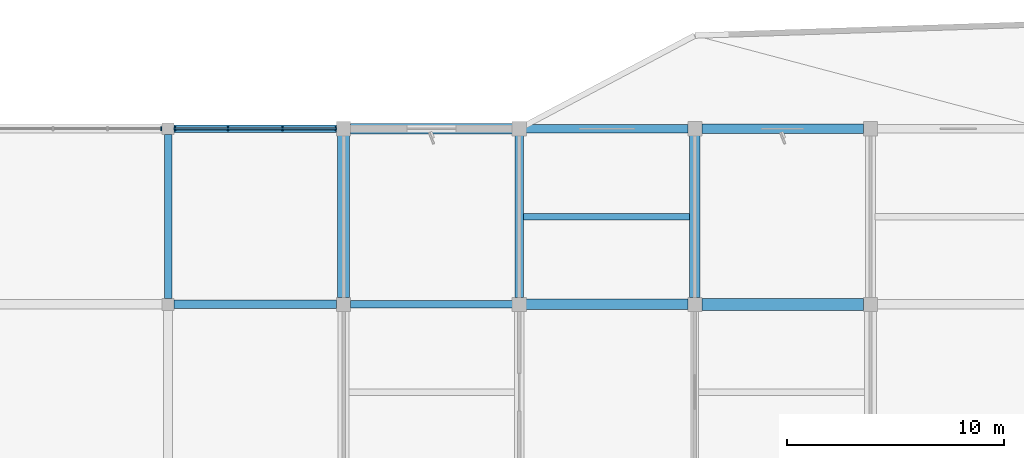
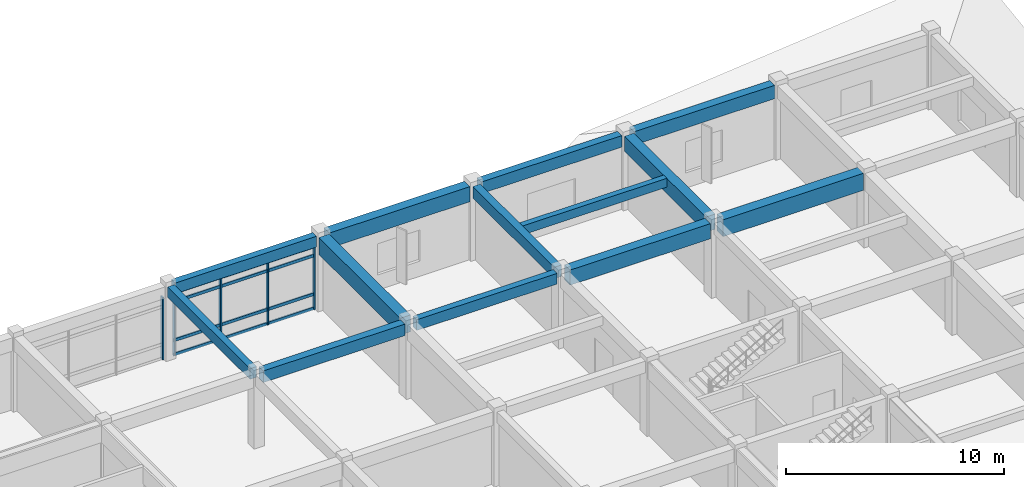
# One storey, part 20 of 40: 13 beams, 9 members, 2 elements without a shape of their own.
"""IFC4 building model written with IfcOpenShell, lengths in metres."""

from ifc_helpers import new_model, si_unit, direction, frame, origin, origin_2d, place, context, subcontext, project, spatial, rectangle, extrude, material, layer, layer_set, material_profile, profile_set, type_object, element, aggregate, save


model = new_model("IFC4")

# Units and contexts
model_context = context("Model", 3, precision=1e-05, world=origin(), true_north=direction((0.0, 1.0)))
body_context = subcontext(model_context, "Body", "Model", "MODEL_VIEW")
ifc_project = project(units=[si_unit("LENGTHUNIT", "METRE"), si_unit("AREAUNIT", "SQUARE_METRE"), si_unit("VOLUMEUNIT", "CUBIC_METRE"), si_unit("PLANEANGLEUNIT", "RADIAN"), si_unit("MASSUNIT", "GRAM", prefix="KILO")], contexts=[model_context])

# Site, building, storey
site_placement = place(None, origin())
site = spatial("IfcSite", under=ifc_project, at=site_placement, CompositionType="ELEMENT")
building_placement = place(site_placement, origin())
building = spatial("IfcBuilding", under=site, at=building_placement, Name="Vaudrelin Polytechnic", CompositionType="ELEMENT")
storey_placement = place(building_placement, frame((0.0, 0.0, 22.949951171875)))
storey = spatial("IfcBuildingStorey", under=building, at=storey_placement, Name="L05", CompositionType="ELEMENT", Elevation=22.949951171875)

# Beams
ifc_material_1 = material(Name="Concrete 40 MPa", Category="concrete")
ifc_material_profile_1 = material_profile(ifc_material_1, rectangle(XDim=0.35009765625, YDim=0.60009765625, at=origin_2d()), Name="RC350x600")
ifc_profile_set_1 = profile_set([ifc_material_profile_1], Name="Concrete 40 MPa")
beam_type_1 = type_object("IfcBeamType", Name="BM-BM-RC3560", PredefinedType="BEAM", material=ifc_profile_set_1)
beam_1_placement = place(storey_placement, frame((129.60009765625, 113.659912109375, 3.860107421875), z_axis=(0.0, 1.0, 0.0), x_axis=(-1.0, 0.0, 0.0)))
element("IfcBeam", 1, at=beam_1_placement, inside=storey, type_object=beam_type_1, Name="L05 Y-beam 17-15", PredefinedType="BEAM", context=body_context, shape_type="SweptSolid", body=[
    extrude(rectangle(XDim=0.35009765625, YDim=0.60009765625, at=origin_2d()), origin(), (0.0, 0.0, 1.0), 7.580078125),
])
beam_2_placement = place(storey_placement, frame((129.87109375, 121.5, 3.860107421875), z_axis=(1.0, 0.0, 0.0), x_axis=(0.0, 1.0, 0.0)))
element("IfcBeam", 2, at=beam_2_placement, inside=storey, type_object=beam_type_1, Name="L05 X-beam 17-16", PredefinedType="BEAM", context=body_context, shape_type="SweptSolid", body=[
    extrude(rectangle(XDim=0.35009765625, YDim=0.60009765625, at=origin_2d()), origin(), (0.0, 0.0, 1.0), 7.5078125),
])
beam_3_placement = place(storey_placement, frame((138.02099609375, 113.39990234375, 3.860107421875), z_axis=(1.0, 0.0, 0.0), x_axis=(0.0, 1.0, 0.0)))
element("IfcBeam", 3, at=beam_3_placement, inside=storey, type_object=beam_type_1, Name="L05 X-beam 18-15", PredefinedType="BEAM", context=body_context, shape_type="SweptSolid", body=[
    extrude(rectangle(XDim=0.35009765625, YDim=0.60009765625, at=origin_2d()), origin(), (0.0, 0.0, 1.0), 7.4580078125),
])
ifc_material_profile_2 = material_profile(ifc_material_1, rectangle(XDim=0.39990234375, YDim=0.64990234375, at=origin_2d()), Name="RC400x650")
ifc_profile_set_2 = profile_set([ifc_material_profile_2], Name="Concrete 40 MPa")
beam_type_2 = type_object("IfcBeamType", Name="BM-BM-RC4065", PredefinedType="BEAM", material=ifc_profile_set_2)
beam_4_placement = place(storey_placement, frame((145.800048828125, 113.7099609375, 3.8349609375), z_axis=(0.0, 1.0, 0.0), x_axis=(-1.0, 0.0, 0.0)))
element("IfcBeam", 4, at=beam_4_placement, inside=storey, type_object=beam_type_2, Name="L05 Y-beam 19-15", PredefinedType="BEAM", context=body_context, shape_type="SweptSolid", body=[
    extrude(rectangle(XDim=0.39990234375, YDim=0.64990234375, at=origin_2d()), origin(), (0.0, 0.0, 1.0), 7.47998046875),
])
beam_5_placement = place(storey_placement, frame((129.87109375, 113.39990234375, 3.8349609375), z_axis=(1.0, 0.0, 0.0), x_axis=(0.0, 1.0, 0.0)))
element("IfcBeam", 5, at=beam_5_placement, inside=storey, type_object=beam_type_2, Name="L05 X-beam 17-15", PredefinedType="BEAM", context=body_context, shape_type="SweptSolid", body=[
    extrude(rectangle(XDim=0.39990234375, YDim=0.64990234375, at=origin_2d()), origin(), (0.0, 0.0, 1.0), 7.5078125),
])
ifc_material_profile_3 = material_profile(ifc_material_1, rectangle(XDim=0.449951171875, YDim=0.75, at=origin_2d()), Name="RC450x750")
ifc_profile_set_3 = profile_set([ifc_material_profile_3], Name="Concrete 40 MPa")
beam_type_3 = type_object("IfcBeamType", Name="BM-BM-RC4575", PredefinedType="BEAM", material=ifc_profile_set_3)
beam_6_placement = place(storey_placement, frame((154.220947265625, 121.5, 3.78515625), z_axis=(1.0, 0.0, 0.0), x_axis=(0.0, 1.0, 0.0)))
element("IfcBeam", 6, at=beam_6_placement, inside=storey, type_object=beam_type_3, Name="L05 X-beam 20-16", PredefinedType="BEAM", context=body_context, shape_type="SweptSolid", body=[
    extrude(rectangle(XDim=0.449951171875, YDim=0.75, at=origin_2d()), origin(), (0.0, 0.0, 1.0), 7.4580078125),
])
ifc_material_profile_4 = material_profile(ifc_material_1, rectangle(XDim=0.5, YDim=0.85009765625, at=origin_2d()), Name="RC500x850")
ifc_profile_set_4 = profile_set([ifc_material_profile_4], Name="Concrete 40 MPa")
beam_type_4 = type_object("IfcBeamType", Name="BM-BM-RC5085", PredefinedType="BEAM", material=ifc_profile_set_4)
beam_7_placement = place(storey_placement, frame((153.89990234375, 113.7099609375, 3.735107421875), z_axis=(0.0, 1.0, 0.0), x_axis=(-1.0, 0.0, 0.0)))
element("IfcBeam", 7, at=beam_7_placement, inside=storey, type_object=beam_type_4, Name="L05 Y-beam 20-15", PredefinedType="BEAM", context=body_context, shape_type="SweptSolid", body=[
    extrude(rectangle(XDim=0.5, YDim=0.85009765625, at=origin_2d()), origin(), (0.0, 0.0, 1.0), 7.47998046875),
])
for number, where, z_axis, x_axis, name in (
    (8, (138.02099609375, 121.5, 3.735107421875), (1.0, 0.0, 0.0), (0.0, 1.0, 0.0), "L05 X-beam 18-16"),
    (9, (146.12109375, 113.39990234375, 3.735107421875), (1.0, 0.0, 0.0), (0.0, 1.0, 0.0), "L05 X-beam 19-15"),
):
    element("IfcBeam", number, at=place(storey_placement, frame(where, z_axis=z_axis, x_axis=x_axis)), inside=storey, type_object=beam_type_4, Name=name, PredefinedType="BEAM", context=body_context, shape_type="SweptSolid", body=[
        extrude(rectangle(XDim=0.5, YDim=0.85009765625, at=origin_2d()), origin(), (0.0, 0.0, 1.0), 7.4580078125),
    ])
ifc_material_2 = material(Name="Concrete 50 MPa", Category="concrete")
ifc_material_profile_5 = material_profile(ifc_material_2, rectangle(XDim=0.550048828125, YDim=0.949951171875, at=origin_2d()), Name="RC550x950")
ifc_profile_set_5 = profile_set([ifc_material_profile_5], Name="Concrete 50 MPa")
beam_type_5 = type_object("IfcBeamType", Name="BM-BM-RC5595", PredefinedType="BEAM", material=ifc_profile_set_5)
beam_8_placement = place(storey_placement, frame((137.699951171875, 113.7099609375, 3.68505859375), z_axis=(0.0, 1.0, 0.0), x_axis=(-1.0, 0.0, 0.0)))
element("IfcBeam", 10, at=beam_8_placement, inside=storey, type_object=beam_type_5, Name="L05 Y-beam 18-15", PredefinedType="BEAM", context=body_context, shape_type="SweptSolid", body=[
    extrude(rectangle(XDim=0.550048828125, YDim=0.949951171875, at=origin_2d()), origin(), (0.0, 0.0, 1.0), 7.47998046875),
])
beam_9_placement = place(storey_placement, frame((154.220947265625, 113.39990234375, 3.68505859375), z_axis=(1.0, 0.0, 0.0), x_axis=(0.0, 1.0, 0.0)))
element("IfcBeam", 11, at=beam_9_placement, inside=storey, type_object=beam_type_5, Name="L05 X-beam 20-15", PredefinedType="BEAM", context=body_context, shape_type="SweptSolid", body=[
    extrude(rectangle(XDim=0.550048828125, YDim=0.949951171875, at=origin_2d()), origin(), (0.0, 0.0, 1.0), 7.4580078125),
])
ifc_material_profile_6 = material_profile(ifc_material_1, rectangle(XDim=0.300048828125, YDim=0.5, at=origin_2d()), Name="RC300x500")
ifc_profile_set_6 = profile_set([ifc_material_profile_6], Name="Concrete 40 MPa")
beam_type_6 = type_object("IfcBeamType", Name="BM-JS-RC3050", PredefinedType="JOIST", material=ifc_profile_set_6)
beam_10_placement = place(storey_placement, frame((145.99609375, 117.449951171875, 3.91015625), z_axis=(1.0, 0.0, 0.0), x_axis=(0.0, 1.0, 0.0)))
element("IfcBeam", 12, at=beam_10_placement, inside=storey, type_object=beam_type_6, Name="L05 floor joist 19-15", PredefinedType="JOIST", context=body_context, shape_type="SweptSolid", body=[
    extrude(rectangle(XDim=0.300048828125, YDim=0.5, at=origin_2d()), origin(), (0.0, 0.0, 1.0), 7.657958984375),
])
ifc_material_profile_7 = material_profile(ifc_material_1, rectangle(XDim=0.39990234375, YDim=0.64990234375, at=origin_2d()), Name="RC400x650")
ifc_profile_set_7 = profile_set([ifc_material_profile_7], Name="Concrete 40 MPa")
beam_type_7 = type_object("IfcBeamType", Name="BM-SP-RC4065", PredefinedType="SPANDREL", material=ifc_profile_set_7)
beam_11_placement = place(storey_placement, frame((146.12109375, 121.5, 3.8349609375), z_axis=(1.0, 0.0, 0.0), x_axis=(0.0, 1.0, 0.0)))
element("IfcBeam", 13, at=beam_11_placement, inside=storey, type_object=beam_type_7, Name="L05 X-beam 19-16", PredefinedType="SPANDREL", context=body_context, shape_type="SweptSolid", body=[
    extrude(rectangle(XDim=0.39990234375, YDim=0.64990234375, at=origin_2d()), origin(), (0.0, 0.0, 1.0), 7.4580078125),
])

# Curtain wall, member
ifc_material_3 = material(Name="Thermally broken anodised aluminium AA 6063-T6 and low-e triple glazing", Category="aluminium")
ifc_layer = layer(ifc_material_3, 0.199951171875)
ifc_layer_set = layer_set([ifc_layer], Name="Thermally broken anodised aluminium AA 6063-T6 and low-e triple glazing")
curtain_wall_type = type_object("IfcCurtainWallType", Name="CW-CW-STU", PredefinedType="USERDEFINED", material=ifc_layer_set)
curtain_wall_1_placement = place(storey_placement, origin())
curtain_wall_1 = element("IfcCurtainWall", 14, at=curtain_wall_1_placement, inside=storey, type_object=curtain_wall_type, Name="Curtain wall L05 N_V5_13", ObjectType="CURTAIN WALL", PredefinedType="USERDEFINED")
ifc_material_4 = material(Name="Anodised aluminium AA 6063-T6", Category="aluminium")
ifc_material_profile_8 = material_profile(ifc_material_4, rectangle(XDim=0.06494140625, YDim=0.179931640625, at=origin_2d()), Name="CWM-65x180")
ifc_profile_set_8 = profile_set([ifc_material_profile_8], Name="Anodised aluminium AA 6063-T6")
member_type_1 = type_object("IfcMemberType", Name="MEM-CWM-180", PredefinedType="MULLION", material=ifc_profile_set_8)
member_1_placement = place(storey_placement, frame((129.287109375, 121.5, 0.0), z_axis=(0.0, 0.0, 1.0), x_axis=(1.0, 0.0, 0.0)))
member_1 = element("IfcMember", 15, at=member_1_placement, type_object=member_type_1, Name="N_V5_13 mullion 4", PredefinedType="MULLION", context=body_context, shape_type="SweptSolid", body=[
    extrude(rectangle(XDim=0.06494140625, YDim=0.179931640625, at=origin_2d()), origin(), (0.0, 0.0, 1.0), 3.511962890625),
])
aggregate(curtain_wall_1, [member_1])

# Curtain wall, members
curtain_wall_2_placement = place(storey_placement, origin())
curtain_wall_2 = element("IfcCurtainWall", 16, at=curtain_wall_2_placement, inside=storey, type_object=curtain_wall_type, Name="Curtain wall L05 N_V5_14", ObjectType="CURTAIN WALL", PredefinedType="USERDEFINED")
member_2_placement = place(storey_placement, frame((129.9130859375, 121.5, 0.0), z_axis=(0.0, 0.0, 1.0), x_axis=(1.0, 0.0, 0.0)))
member_2 = element("IfcMember", 17, at=member_2_placement, type_object=member_type_1, Name="N_V5_14 mullion 1", PredefinedType="MULLION", context=body_context, shape_type="SweptSolid", body=[
    extrude(rectangle(XDim=0.06494140625, YDim=0.179931640625, at=origin_2d()), origin(), (0.0, 0.0, 1.0), 3.56201171875),
])
member_3_placement = place(storey_placement, frame((132.374267578125, 121.5, 0.0), z_axis=(0.0, 0.0, 1.0), x_axis=(1.0, 0.0, 0.0)))
member_3 = element("IfcMember", 18, at=member_3_placement, type_object=member_type_1, Name="N_V5_14 mullion 2", PredefinedType="MULLION", context=body_context, shape_type="SweptSolid", body=[
    extrude(rectangle(XDim=0.06494140625, YDim=0.179931640625, at=origin_2d()), origin(), (0.0, 0.0, 1.0), 3.56201171875),
])
member_4_placement = place(storey_placement, frame((134.875732421875, 121.5, 0.0), z_axis=(0.0, 0.0, 1.0), x_axis=(1.0, 0.0, 0.0)))
member_4 = element("IfcMember", 19, at=member_4_placement, type_object=member_type_1, Name="N_V5_14 mullion 3", PredefinedType="MULLION", context=body_context, shape_type="SweptSolid", body=[
    extrude(rectangle(XDim=0.06494140625, YDim=0.179931640625, at=origin_2d()), origin(), (0.0, 0.0, 1.0), 3.56201171875),
])
member_5_placement = place(storey_placement, frame((137.3369140625, 121.5, 0.0), z_axis=(0.0, 0.0, 1.0), x_axis=(1.0, 0.0, 0.0)))
member_5 = element("IfcMember", 20, at=member_5_placement, type_object=member_type_1, Name="N_V5_14 mullion 4", PredefinedType="MULLION", context=body_context, shape_type="SweptSolid", body=[
    extrude(rectangle(XDim=0.06494140625, YDim=0.179931640625, at=origin_2d()), origin(), (0.0, 0.0, 1.0), 3.56201171875),
])
ifc_material_profile_9 = material_profile(ifc_material_4, rectangle(XDim=0.074951171875, YDim=0.1650390625, at=origin_2d()), Name="CWT-75x165")
ifc_profile_set_9 = profile_set([ifc_material_profile_9], Name="Anodised aluminium AA 6063-T6")
member_type_2 = type_object("IfcMemberType", Name="MEM-CWT-165", PredefinedType="USERDEFINED", material=ifc_profile_set_9)
member_6_placement = place(storey_placement, frame((129.873046875, 121.5, 0.050048828125), z_axis=(1.0, 0.0, 0.0), x_axis=(0.0, 1.0, 0.0)))
member_6 = element("IfcMember", 21, at=member_6_placement, type_object=member_type_2, Name="N_V5_14 transom 1", ObjectType="TRANSOM", PredefinedType="USERDEFINED", context=body_context, shape_type="SweptSolid", body=[
    extrude(rectangle(XDim=0.074951171875, YDim=0.1650390625, at=origin_2d()), origin(), (0.0, 0.0, 1.0), 7.50390625),
])
member_7_placement = place(storey_placement, frame((129.873046875, 121.5, 0.85009765625), z_axis=(1.0, 0.0, 0.0), x_axis=(0.0, 1.0, 0.0)))
member_7 = element("IfcMember", 22, at=member_7_placement, type_object=member_type_2, Name="N_V5_14 transom 2", ObjectType="TRANSOM", PredefinedType="USERDEFINED", context=body_context, shape_type="SweptSolid", body=[
    extrude(rectangle(XDim=0.074951171875, YDim=0.1650390625, at=origin_2d()), origin(), (0.0, 0.0, 1.0), 7.50390625),
])
member_8_placement = place(storey_placement, frame((129.873046875, 121.5, 3.011962890625), z_axis=(1.0, 0.0, 0.0), x_axis=(0.0, 1.0, 0.0)))
member_8 = element("IfcMember", 23, at=member_8_placement, type_object=member_type_2, Name="N_V5_14 transom 3", ObjectType="TRANSOM", PredefinedType="USERDEFINED", context=body_context, shape_type="SweptSolid", body=[
    extrude(rectangle(XDim=0.074951171875, YDim=0.1650390625, at=origin_2d()), origin(), (0.0, 0.0, 1.0), 7.50390625),
])
member_9_placement = place(storey_placement, frame((129.873046875, 121.5, 3.511962890625), z_axis=(1.0, 0.0, 0.0), x_axis=(0.0, 1.0, 0.0)))
member_9 = element("IfcMember", 24, at=member_9_placement, type_object=member_type_2, Name="N_V5_14 transom 4", ObjectType="TRANSOM", PredefinedType="USERDEFINED", context=body_context, shape_type="SweptSolid", body=[
    extrude(rectangle(XDim=0.074951171875, YDim=0.1650390625, at=origin_2d()), origin(), (0.0, 0.0, 1.0), 7.50390625),
])
aggregate(curtain_wall_2, [member_2, member_3, member_4, member_5, member_6, member_7, member_8, member_9])

save(model, "model.ifc")
